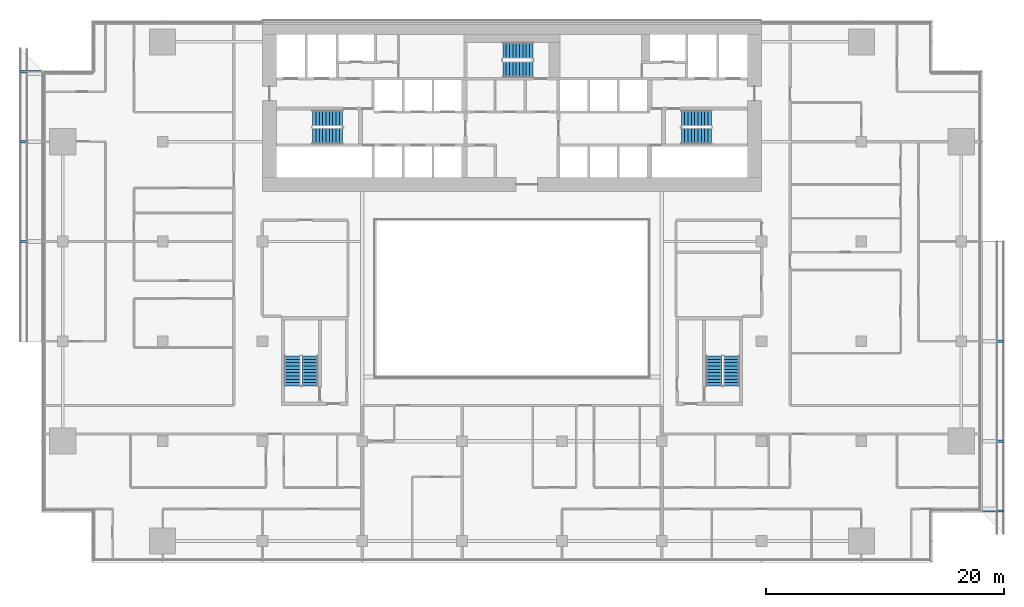
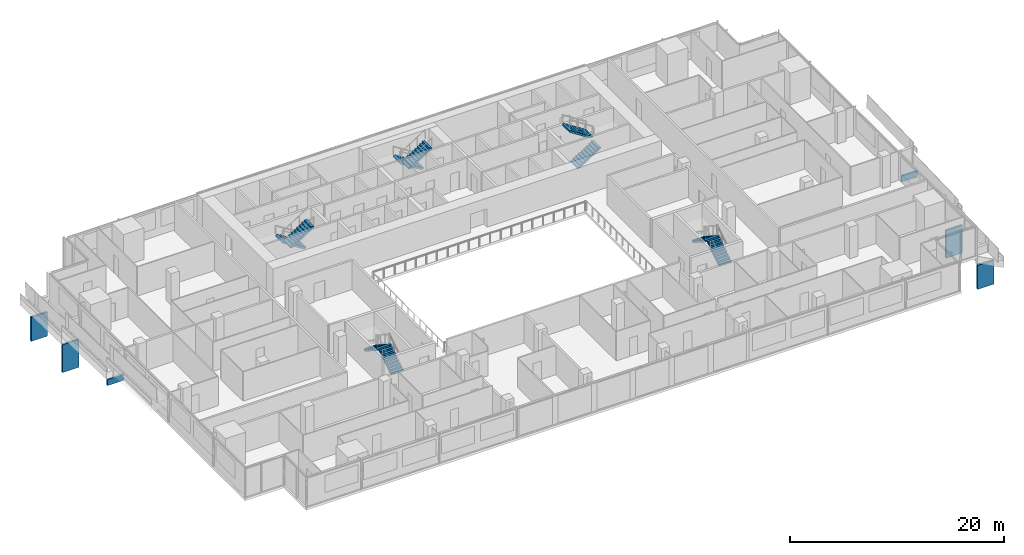
# One storey, part 22 of 25: 10 stair flights, 6 discrete accessories, 5 elements without a shape of their own.
"""IFC4 building model written with IfcOpenShell, lengths in metres."""

from ifc_helpers import new_model, si_unit, direction, frame, origin, origin_2d, place, context, subcontext, project, spatial, polyline, rectangle, outline, extrude, material, type_object, element, aggregate, save


model = new_model("IFC4")

# Units and contexts
model_context = context("Model", 3, precision=1e-05, world=origin(), true_north=direction((0.0, 1.0)))
body_context = subcontext(model_context, "Body", "Model", "MODEL_VIEW")
ifc_project = project(units=[si_unit("LENGTHUNIT", "METRE"), si_unit("AREAUNIT", "SQUARE_METRE"), si_unit("VOLUMEUNIT", "CUBIC_METRE"), si_unit("PLANEANGLEUNIT", "RADIAN"), si_unit("MASSUNIT", "GRAM", prefix="KILO")], contexts=[model_context])

# Site, building, storey
site_placement = place(None, origin())
site = spatial("IfcSite", under=ifc_project, at=site_placement, CompositionType="ELEMENT")
building_placement = place(site_placement, origin())
building = spatial("IfcBuilding", under=site, at=building_placement, Name="Saffron Gate Tower", CompositionType="ELEMENT")
storey_placement = place(building_placement, frame((0.0, 0.0, 73.199951171875)))
storey = spatial("IfcBuildingStorey", under=building, at=storey_placement, Name="L17", CompositionType="ELEMENT", Elevation=73.199951171875)

# Stair, stair flights
ifc_material = material(Name="Concrete C40", Category="concrete")
stair_type = type_object("IfcStairType", Name="ST7 Stair 1350 wide, 20 risers of 180", PredefinedType="HALF_TURN_STAIR", material=ifc_material)
stair_1_placement = place(storey_placement, origin())
stair_1 = element("IfcStair", 1, at=stair_1_placement, inside=storey, type_object=stair_type, Name="L17 Exit stair A", PredefinedType="HALF_TURN_STAIR")
stair_flight_type = type_object("IfcStairFlightType", Name="SF3 Stair flight 1350 wide, riser 180 going 280", PredefinedType="STRAIGHT", material=ifc_material)
stair_flight_1_placement = place(storey_placement, frame((73.35009765625, 67.375, 0.0), z_axis=(0.0, 0.0, 1.0), x_axis=(-1.0, 0.0, 0.0)))
stair_flight_1 = element("IfcStairFlight", 2, at=stair_flight_1_placement, type_object=stair_flight_type, Name="ST-A flight 1", NumberOfRisers=10, NumberOfTreads=9, PredefinedType="STRAIGHT", RiserHeight=0.18, TreadLength=0.28, context=body_context, shape_type="SweptSolid", body=[
    extrude(outline(polyline([(0.0, 0.0), (0.0, 0.179931640625), (0.280029296875, 0.179931640625), (0.280029296875, 0.360107421875), (0.56005859375, 0.360107421875), (0.56005859375, 0.5400390625), (0.840087890625, 0.5400390625), (0.840087890625, 0.719970703125), (1.1201171875, 0.719970703125), (1.1201171875, 0.89990234375), (1.39990234375, 0.89990234375), (1.39990234375, 1.080078125), (1.679931640625, 1.080078125), (1.679931640625, 1.260009765625), (1.9599609375, 1.260009765625), (1.9599609375, 1.43994140625), (2.239990234375, 1.43994140625), (2.239990234375, 1.6201171875), (2.52001953125, 1.6201171875), (2.52001953125, 1.800048828125), (2.52001953125, 1.44189453125), (0.277099609375, 0.0), (0.0, 0.0)])), frame((0.0, 0.675048828125, 0.0), z_axis=(0.0, -1.0, 0.0), x_axis=(1.0, 0.0, 0.0)), (0.0, 0.0, 1.0), 1.35009765625),
])
stair_flight_2_placement = place(storey_placement, frame((70.830078125, 65.875, 1.800048828125), z_axis=(0.0, 0.0, 1.0), x_axis=(1.0, 0.0, 0.0)))
stair_flight_2 = element("IfcStairFlight", 3, at=stair_flight_2_placement, type_object=stair_flight_type, Name="ST-A flight 2", NumberOfRisers=10, NumberOfTreads=9, PredefinedType="STRAIGHT", RiserHeight=0.18, TreadLength=0.28, context=body_context, shape_type="SweptSolid", body=[
    extrude(outline(polyline([(0.0, 0.0), (0.0, 0.179931640625), (0.280029296875, 0.179931640625), (0.280029296875, 0.360107421875), (0.56005859375, 0.360107421875), (0.56005859375, 0.5400390625), (0.840087890625, 0.5400390625), (0.840087890625, 0.719970703125), (1.1201171875, 0.719970703125), (1.1201171875, 0.89990234375), (1.39990234375, 0.89990234375), (1.39990234375, 1.080078125), (1.679931640625, 1.080078125), (1.679931640625, 1.260009765625), (1.9599609375, 1.260009765625), (1.9599609375, 1.43994140625), (2.239990234375, 1.43994140625), (2.239990234375, 1.6201171875), (2.52001953125, 1.6201171875), (2.52001953125, 1.800048828125), (2.52001953125, 1.44189453125), (0.277099609375, 0.0), (0.0, 0.0)])), frame((0.0, 0.675048828125, 0.0), z_axis=(0.0, -1.0, 0.0), x_axis=(1.0, 0.0, 0.0)), (0.0, 0.0, 1.0), 1.35009765625),
])
aggregate(stair_1, [stair_flight_1, stair_flight_2])

stair_2_placement = place(storey_placement, origin())
stair_2 = element("IfcStair", 4, at=stair_2_placement, inside=storey, type_object=stair_type, Name="L17 Exit stair B", PredefinedType="HALF_TURN_STAIR")
stair_flight_3_placement = place(storey_placement, frame((101.85009765625, 65.875, 0.0), z_axis=(0.0, 0.0, 1.0), x_axis=(1.0, 0.0, 0.0)))
stair_flight_3 = element("IfcStairFlight", 5, at=stair_flight_3_placement, type_object=stair_flight_type, Name="ST-B flight 1", NumberOfRisers=10, NumberOfTreads=9, PredefinedType="STRAIGHT", RiserHeight=0.18, TreadLength=0.28, context=body_context, shape_type="SweptSolid", body=[
    extrude(outline(polyline([(0.0, 0.0), (0.0, 0.179931640625), (0.280029296875, 0.179931640625), (0.280029296875, 0.360107421875), (0.56005859375, 0.360107421875), (0.56005859375, 0.5400390625), (0.840087890625, 0.5400390625), (0.840087890625, 0.719970703125), (1.1201171875, 0.719970703125), (1.1201171875, 0.89990234375), (1.39990234375, 0.89990234375), (1.39990234375, 1.080078125), (1.679931640625, 1.080078125), (1.679931640625, 1.260009765625), (1.9599609375, 1.260009765625), (1.9599609375, 1.43994140625), (2.239990234375, 1.43994140625), (2.239990234375, 1.6201171875), (2.52001953125, 1.6201171875), (2.52001953125, 1.800048828125), (2.52001953125, 1.44189453125), (0.277099609375, 0.0), (0.0, 0.0)])), frame((0.0, 0.675048828125, 0.0), z_axis=(0.0, -1.0, 0.0), x_axis=(1.0, 0.0, 0.0)), (0.0, 0.0, 1.0), 1.35009765625),
])
stair_flight_4_placement = place(storey_placement, frame((104.3701171875, 67.375, 1.800048828125), z_axis=(0.0, 0.0, 1.0), x_axis=(-1.0, 0.0, 0.0)))
stair_flight_4 = element("IfcStairFlight", 6, at=stair_flight_4_placement, type_object=stair_flight_type, Name="ST-B flight 2", NumberOfRisers=10, NumberOfTreads=9, PredefinedType="STRAIGHT", RiserHeight=0.18, TreadLength=0.28, context=body_context, shape_type="SweptSolid", body=[
    extrude(outline(polyline([(0.0, 0.0), (0.0, 0.179931640625), (0.280029296875, 0.179931640625), (0.280029296875, 0.360107421875), (0.56005859375, 0.360107421875), (0.56005859375, 0.5400390625), (0.840087890625, 0.5400390625), (0.840087890625, 0.719970703125), (1.1201171875, 0.719970703125), (1.1201171875, 0.89990234375), (1.39990234375, 0.89990234375), (1.39990234375, 1.080078125), (1.679931640625, 1.080078125), (1.679931640625, 1.260009765625), (1.9599609375, 1.260009765625), (1.9599609375, 1.43994140625), (2.239990234375, 1.43994140625), (2.239990234375, 1.6201171875), (2.52001953125, 1.6201171875), (2.52001953125, 1.800048828125), (2.52001953125, 1.44189453125), (0.277099609375, 0.0), (0.0, 0.0)])), frame((0.0, 0.675048828125, 0.0), z_axis=(0.0, -1.0, 0.0), x_axis=(1.0, 0.0, 0.0)), (0.0, 0.0, 1.0), 1.35009765625),
])
aggregate(stair_2, [stair_flight_3, stair_flight_4])

stair_3_placement = place(storey_placement, origin())
stair_3 = element("IfcStair", 7, at=stair_3_placement, inside=storey, type_object=stair_type, Name="L17 Exit stair C", PredefinedType="HALF_TURN_STAIR")
stair_flight_5_placement = place(storey_placement, frame((89.35009765625, 73.074951171875, 0.0), z_axis=(0.0, 0.0, 1.0), x_axis=(-1.0, 0.0, 0.0)))
stair_flight_5 = element("IfcStairFlight", 8, at=stair_flight_5_placement, type_object=stair_flight_type, Name="ST-C flight 1", NumberOfRisers=10, NumberOfTreads=9, PredefinedType="STRAIGHT", RiserHeight=0.18, TreadLength=0.28, context=body_context, shape_type="SweptSolid", body=[
    extrude(outline(polyline([(0.0, 0.0), (0.0, 0.179931640625), (0.280029296875, 0.179931640625), (0.280029296875, 0.360107421875), (0.56005859375, 0.360107421875), (0.56005859375, 0.5400390625), (0.840087890625, 0.5400390625), (0.840087890625, 0.719970703125), (1.1201171875, 0.719970703125), (1.1201171875, 0.89990234375), (1.39990234375, 0.89990234375), (1.39990234375, 1.080078125), (1.679931640625, 1.080078125), (1.679931640625, 1.260009765625), (1.9599609375, 1.260009765625), (1.9599609375, 1.43994140625), (2.239990234375, 1.43994140625), (2.239990234375, 1.6201171875), (2.52001953125, 1.6201171875), (2.52001953125, 1.800048828125), (2.52001953125, 1.44189453125), (0.277099609375, 0.0), (0.0, 0.0)])), frame((0.0, 0.675048828125, 0.0), z_axis=(0.0, -1.0, 0.0), x_axis=(1.0, 0.0, 0.0)), (0.0, 0.0, 1.0), 1.35009765625),
])
stair_flight_6_placement = place(storey_placement, frame((86.830078125, 71.47509765625, 1.800048828125), z_axis=(0.0, 0.0, 1.0), x_axis=(1.0, 0.0, 0.0)))
stair_flight_6 = element("IfcStairFlight", 9, at=stair_flight_6_placement, type_object=stair_flight_type, Name="ST-C flight 2", NumberOfRisers=10, NumberOfTreads=9, PredefinedType="STRAIGHT", RiserHeight=0.18, TreadLength=0.28, context=body_context, shape_type="SweptSolid", body=[
    extrude(outline(polyline([(0.0, 0.0), (0.0, 0.179931640625), (0.280029296875, 0.179931640625), (0.280029296875, 0.360107421875), (0.56005859375, 0.360107421875), (0.56005859375, 0.5400390625), (0.840087890625, 0.5400390625), (0.840087890625, 0.719970703125), (1.1201171875, 0.719970703125), (1.1201171875, 0.89990234375), (1.39990234375, 0.89990234375), (1.39990234375, 1.080078125), (1.679931640625, 1.080078125), (1.679931640625, 1.260009765625), (1.9599609375, 1.260009765625), (1.9599609375, 1.43994140625), (2.239990234375, 1.43994140625), (2.239990234375, 1.6201171875), (2.52001953125, 1.6201171875), (2.52001953125, 1.800048828125), (2.52001953125, 1.44189453125), (0.277099609375, 0.0), (0.0, 0.0)])), frame((0.0, 0.675048828125, 0.0), z_axis=(0.0, -1.0, 0.0), x_axis=(1.0, 0.0, 0.0)), (0.0, 0.0, 1.0), 1.35009765625),
])
aggregate(stair_3, [stair_flight_5, stair_flight_6])

stair_4_placement = place(storey_placement, origin())
stair_4 = element("IfcStair", 10, at=stair_4_placement, inside=storey, type_object=stair_type, Name="L17 Exit stair D", PredefinedType="HALF_TURN_STAIR")
stair_flight_7_placement = place(storey_placement, frame((70.625, 44.85009765625, 0.0), z_axis=(0.0, 0.0, 1.0), x_axis=(0.0, 1.0, 0.0)))
stair_flight_7 = element("IfcStairFlight", 11, at=stair_flight_7_placement, type_object=stair_flight_type, Name="ST-D flight 1", NumberOfRisers=10, NumberOfTreads=9, PredefinedType="STRAIGHT", RiserHeight=0.18, TreadLength=0.28, context=body_context, shape_type="SweptSolid", body=[
    extrude(outline(polyline([(0.0, 0.0), (0.0, 0.179931640625), (0.280029296875, 0.179931640625), (0.280029296875, 0.360107421875), (0.56005859375, 0.360107421875), (0.56005859375, 0.5400390625), (0.840087890625, 0.5400390625), (0.840087890625, 0.719970703125), (1.1201171875, 0.719970703125), (1.1201171875, 0.89990234375), (1.39990234375, 0.89990234375), (1.39990234375, 1.080078125), (1.679931640625, 1.080078125), (1.679931640625, 1.260009765625), (1.9599609375, 1.260009765625), (1.9599609375, 1.43994140625), (2.239990234375, 1.43994140625), (2.239990234375, 1.6201171875), (2.52001953125, 1.6201171875), (2.52001953125, 1.800048828125), (2.52001953125, 1.44189453125), (0.277099609375, 0.0), (0.0, 0.0)])), frame((0.0, 0.675048828125, 0.0), z_axis=(0.0, -1.0, 0.0), x_axis=(1.0, 0.0, 0.0)), (0.0, 0.0, 1.0), 1.35009765625),
])
stair_flight_8_placement = place(storey_placement, frame((69.125, 47.3701171875, 1.800048828125), z_axis=(0.0, 0.0, 1.0), x_axis=(0.0, -1.0, 0.0)))
stair_flight_8 = element("IfcStairFlight", 12, at=stair_flight_8_placement, type_object=stair_flight_type, Name="ST-D flight 2", NumberOfRisers=10, NumberOfTreads=9, PredefinedType="STRAIGHT", RiserHeight=0.18, TreadLength=0.28, context=body_context, shape_type="SweptSolid", body=[
    extrude(outline(polyline([(0.0, 0.0), (0.0, 0.179931640625), (0.280029296875, 0.179931640625), (0.280029296875, 0.360107421875), (0.56005859375, 0.360107421875), (0.56005859375, 0.5400390625), (0.840087890625, 0.5400390625), (0.840087890625, 0.719970703125), (1.1201171875, 0.719970703125), (1.1201171875, 0.89990234375), (1.39990234375, 0.89990234375), (1.39990234375, 1.080078125), (1.679931640625, 1.080078125), (1.679931640625, 1.260009765625), (1.9599609375, 1.260009765625), (1.9599609375, 1.43994140625), (2.239990234375, 1.43994140625), (2.239990234375, 1.6201171875), (2.52001953125, 1.6201171875), (2.52001953125, 1.800048828125), (2.52001953125, 1.44189453125), (0.277099609375, 0.0), (0.0, 0.0)])), frame((0.0, 0.675048828125, 0.0), z_axis=(0.0, -1.0, 0.0), x_axis=(1.0, 0.0, 0.0)), (0.0, 0.0, 1.0), 1.35009765625),
])
aggregate(stair_4, [stair_flight_7, stair_flight_8])

stair_5_placement = place(storey_placement, origin())
stair_5 = element("IfcStair", 13, at=stair_5_placement, inside=storey, type_object=stair_type, Name="L17 Exit stair E", PredefinedType="HALF_TURN_STAIR")
stair_flight_9_placement = place(storey_placement, frame((106.074951171875, 44.85009765625, 0.0), z_axis=(0.0, 0.0, 1.0), x_axis=(0.0, 1.0, 0.0)))
stair_flight_9 = element("IfcStairFlight", 14, at=stair_flight_9_placement, type_object=stair_flight_type, Name="ST-E flight 1", NumberOfRisers=10, NumberOfTreads=9, PredefinedType="STRAIGHT", RiserHeight=0.18, TreadLength=0.28, context=body_context, shape_type="SweptSolid", body=[
    extrude(outline(polyline([(0.0, 0.0), (0.0, 0.179931640625), (0.280029296875, 0.179931640625), (0.280029296875, 0.360107421875), (0.56005859375, 0.360107421875), (0.56005859375, 0.5400390625), (0.840087890625, 0.5400390625), (0.840087890625, 0.719970703125), (1.1201171875, 0.719970703125), (1.1201171875, 0.89990234375), (1.39990234375, 0.89990234375), (1.39990234375, 1.080078125), (1.679931640625, 1.080078125), (1.679931640625, 1.260009765625), (1.9599609375, 1.260009765625), (1.9599609375, 1.43994140625), (2.239990234375, 1.43994140625), (2.239990234375, 1.6201171875), (2.52001953125, 1.6201171875), (2.52001953125, 1.800048828125), (2.52001953125, 1.44189453125), (0.277099609375, 0.0), (0.0, 0.0)])), frame((0.0, 0.675048828125, 0.0), z_axis=(0.0, -1.0, 0.0), x_axis=(1.0, 0.0, 0.0)), (0.0, 0.0, 1.0), 1.35009765625),
])
stair_flight_10_placement = place(storey_placement, frame((104.574951171875, 47.3701171875, 1.800048828125), z_axis=(0.0, 0.0, 1.0), x_axis=(0.0, -1.0, 0.0)))
stair_flight_10 = element("IfcStairFlight", 15, at=stair_flight_10_placement, type_object=stair_flight_type, Name="ST-E flight 2", NumberOfRisers=10, NumberOfTreads=9, PredefinedType="STRAIGHT", RiserHeight=0.18, TreadLength=0.28, context=body_context, shape_type="SweptSolid", body=[
    extrude(outline(polyline([(0.0, 0.0), (0.0, 0.179931640625), (0.280029296875, 0.179931640625), (0.280029296875, 0.360107421875), (0.56005859375, 0.360107421875), (0.56005859375, 0.5400390625), (0.840087890625, 0.5400390625), (0.840087890625, 0.719970703125), (1.1201171875, 0.719970703125), (1.1201171875, 0.89990234375), (1.39990234375, 0.89990234375), (1.39990234375, 1.080078125), (1.679931640625, 1.080078125), (1.679931640625, 1.260009765625), (1.9599609375, 1.260009765625), (1.9599609375, 1.43994140625), (2.239990234375, 1.43994140625), (2.239990234375, 1.6201171875), (2.52001953125, 1.6201171875), (2.52001953125, 1.800048828125), (2.52001953125, 1.44189453125), (0.277099609375, 0.0), (0.0, 0.0)])), frame((0.0, 0.675048828125, 0.0), z_axis=(0.0, -1.0, 0.0), x_axis=(1.0, 0.0, 0.0)), (0.0, 0.0, 1.0), 1.35009765625),
])
aggregate(stair_5, [stair_flight_9, stair_flight_10])

# Discrete accessories
discrete_accessory_1_placement = place(storey_placement, frame((47.125, 71.280029296875, -3.8798828125), z_axis=(0.0, 0.0, 1.0), x_axis=(0.0, -1.0, 0.0)))
element("IfcDiscreteAccessory", 16, at=discrete_accessory_1_placement, inside=storey, Name="LEDGE rib", PredefinedType="BRACKET", context=body_context, shape_type="SweptSolid", body=[
    extrude(rectangle(XDim=0.199951171875, YDim=1.75, at=origin_2d()), origin(), (0.0, 0.0, 1.0), 2.7509765625),
])
discrete_accessory_2_placement = place(storey_placement, frame((47.125, 65.39990234375, -3.880126953125), z_axis=(0.0, 0.0, 1.0), x_axis=(0.0, -1.0, 0.0)))
element("IfcDiscreteAccessory", 17, at=discrete_accessory_2_placement, inside=storey, Name="LEDGE rib", PredefinedType="BRACKET", context=body_context, shape_type="SweptSolid", body=[
    extrude(rectangle(XDim=0.199951171875, YDim=1.75, at=origin_2d()), origin(), (0.0, 0.0, 1.0), 3.18115234375),
])
discrete_accessory_3_placement = place(storey_placement, frame((47.125, 57.0, -0.27978515625), z_axis=(0.0, 0.0, 1.0), x_axis=(0.0, -1.0, 0.0)))
element("IfcDiscreteAccessory", 18, at=discrete_accessory_3_placement, inside=storey, Name="LEDGE rib", PredefinedType="BRACKET", context=body_context, shape_type="SweptSolid", body=[
    extrude(rectangle(XDim=0.199951171875, YDim=1.75, at=origin_2d()), origin(), (0.0, 0.0, 1.0), 0.680419921875),
])
discrete_accessory_4_placement = place(storey_placement, frame((128.074951171875, 34.320068359375, -3.8798828125), z_axis=(0.0, 0.0, 1.0), x_axis=(0.0, 1.0, 0.0)))
element("IfcDiscreteAccessory", 19, at=discrete_accessory_4_placement, inside=storey, Name="LEDGE rib", PredefinedType="BRACKET", context=body_context, shape_type="SweptSolid", body=[
    extrude(rectangle(XDim=0.199951171875, YDim=1.75, at=origin_2d()), origin(), (0.0, 0.0, 1.0), 2.7509765625),
])
discrete_accessory_5_placement = place(storey_placement, frame((128.074951171875, 40.199951171875, -3.880126953125), z_axis=(0.0, 0.0, 1.0), x_axis=(0.0, 1.0, 0.0)))
element("IfcDiscreteAccessory", 20, at=discrete_accessory_5_placement, inside=storey, Name="LEDGE rib", PredefinedType="BRACKET", context=body_context, shape_type="SweptSolid", body=[
    extrude(rectangle(XDim=0.199951171875, YDim=1.75, at=origin_2d()), origin(), (0.0, 0.0, 1.0), 3.18115234375),
])
discrete_accessory_6_placement = place(storey_placement, frame((128.074951171875, 48.60009765625, -0.27978515625), z_axis=(0.0, 0.0, 1.0), x_axis=(0.0, 1.0, 0.0)))
element("IfcDiscreteAccessory", 21, at=discrete_accessory_6_placement, inside=storey, Name="LEDGE rib", PredefinedType="BRACKET", context=body_context, shape_type="SweptSolid", body=[
    extrude(rectangle(XDim=0.199951171875, YDim=1.75, at=origin_2d()), origin(), (0.0, 0.0, 1.0), 0.680419921875),
])

save(model, "model.ifc")
